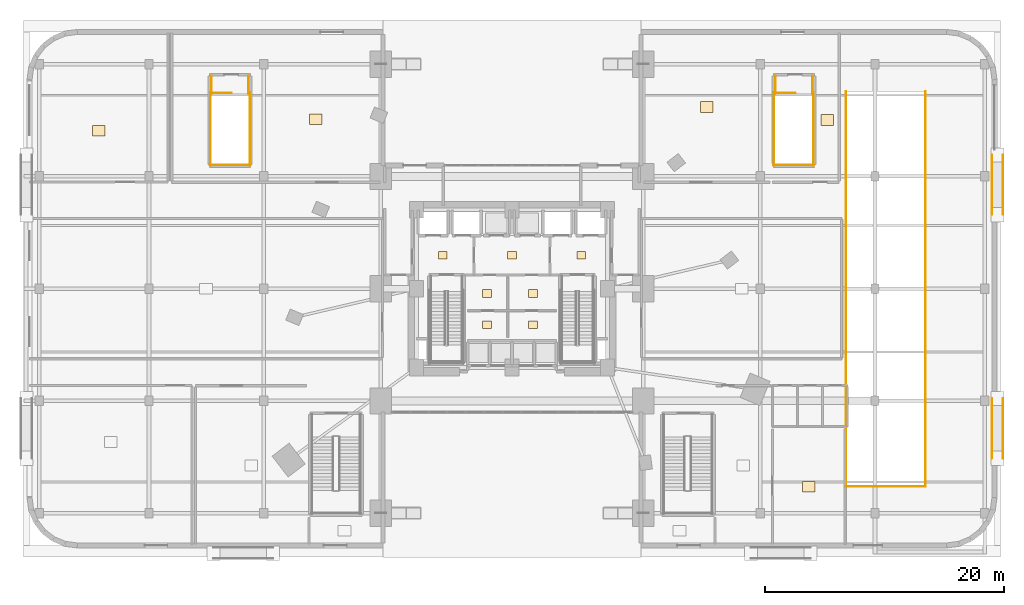
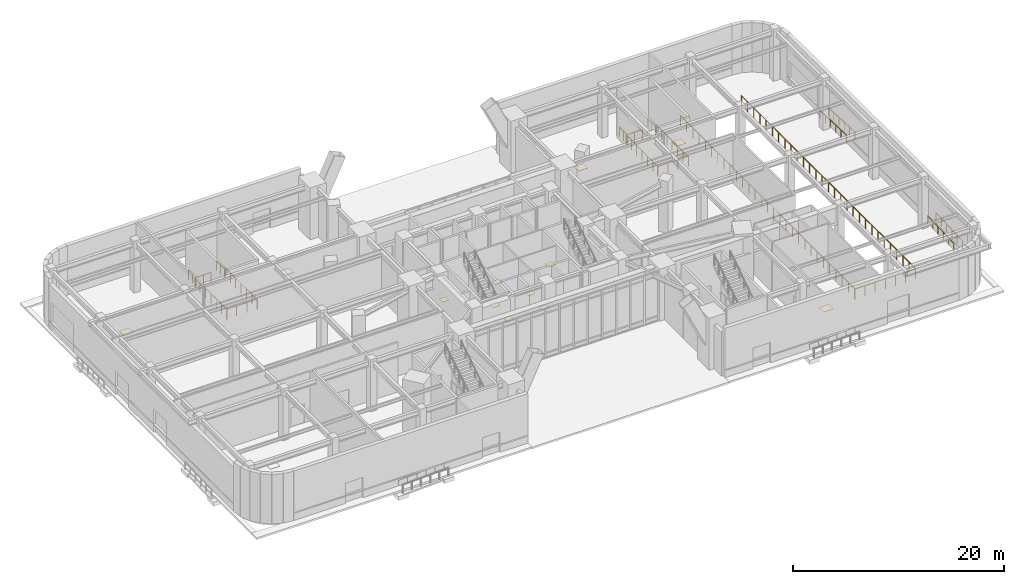
# One storey, part 26 of 27: 19 railings, 12 coverings.
"""IFC4 building model written with IfcOpenShell, lengths in metres."""

from ifc_helpers import new_model, si_unit, direction, frame, origin, origin_2d, place, context, subcontext, project, spatial, rectangle, circle, extrude, material, layer, layer_set, type_object, element, save


model = new_model("IFC4")

# Units and contexts
model_context = context("Model", 3, precision=1e-05, world=origin(), true_north=direction((0.0, 1.0)))
body_context = subcontext(model_context, "Body", "Model", "MODEL_VIEW")
ifc_project = project(units=[si_unit("LENGTHUNIT", "METRE"), si_unit("AREAUNIT", "SQUARE_METRE"), si_unit("VOLUMEUNIT", "CUBIC_METRE"), si_unit("PLANEANGLEUNIT", "RADIAN"), si_unit("MASSUNIT", "GRAM", prefix="KILO")], contexts=[model_context])

# Site, building, storey
site_placement = place(None, origin())
site = spatial("IfcSite", under=ifc_project, at=site_placement, CompositionType="ELEMENT")
building_placement = place(site_placement, origin())
building = spatial("IfcBuilding", under=site, at=building_placement, Name="Ndelora Gate Hotel", CompositionType="ELEMENT")
storey_placement = place(building_placement, origin())
storey = spatial("IfcBuildingStorey", under=building, at=storey_placement, Name="L00", CompositionType="ELEMENT", Elevation=0.0)

# Coverings
ifc_material_1 = material(Name="Engineered Highland Oak Parquet", Category="wood")
ifc_layer_1 = layer(ifc_material_1, 0.030029296875)
ifc_layer_set_1 = layer_set([ifc_layer_1], Name="Engineered Highland Oak Parquet")
covering_type_1 = type_object("IfcCoveringType", Name="COV-FLR-PARQ", PredefinedType="FLOORING", material=ifc_layer_set_1)
for number, where, z_axis, x_axis, name in (
    (1, (-16.425048828125, 14.195068359375, 0.0), (0.0, 0.0, 1.0), (1.0, 0.0, 0.0), "L00 West Protected Exit Passage Oak Parquet Flooring"),
    (2, (24.85009765625, -16.574951171875, 0.0), (0.0, 0.0, 1.0), (1.0, 0.0, 0.0), "L00 East Conservatory Dining Room Oak Parquet Flooring"),
    (3, (16.324951171875, 15.2099609375, 0.0), (0.0, 0.0, 1.0), (1.0, 0.0, 0.0), "L00 Brasserie Production Kitchen Oak Parquet Flooring"),
    (4, (26.39990234375, 14.125, 0.0), (0.0, 0.0, 1.0), (1.0, 0.0, 0.0), "L00 East Protected Exit Passage Oak Parquet Flooring"),
    (5, (-34.60009765625, 13.228759765625, 0.0), (0.0, 0.0, 1.0), (1.0, 0.0, 0.0), "L00 Luggage and Receiving Store Oak Parquet Flooring"),
):
    element("IfcCovering", number, at=place(storey_placement, frame(where, z_axis=z_axis, x_axis=x_axis)), inside=storey, type_object=covering_type_1, Name=name, PredefinedType="FLOORING", context=body_context, shape_type="SweptSolid", body=[
        extrude(rectangle(XDim=1.050048828125, YDim=0.89990234375, at=origin_2d()), origin(), (0.0, 0.0, 1.0), 0.030029296875),
    ])
ifc_material_2 = material(Name="Non-Slip Porcelain Wet-Room Tile", Category="ceramic")
ifc_layer_2 = layer(ifc_material_2, 0.02490234375)
ifc_layer_set_2 = layer_set([ifc_layer_2], Name="Non-Slip Porcelain Wet-Room Tile")
covering_type_2 = type_object("IfcCoveringType", Name="COV-FLR-TILE", PredefinedType="FLOORING", material=ifc_layer_set_2)
for number, where, z_axis, x_axis, name in (
    (6, (-5.800048828125, 2.800048828125, 0.0), (0.0, 0.0, 1.0), (1.0, 0.0, 0.0), "L00 Firefighting Lift Lobby West Porcelain Tile Flooring"),
    (7, (5.800048828125, 2.800048828125, 0.0), (0.0, 0.0, 1.0), (1.0, 0.0, 0.0), "L00 Firefighting Lift Lobby East Porcelain Tile Flooring"),
    (8, (0.0, 2.800048828125, 0.0), (0.0, 0.0, 1.0), (1.0, 0.0, 0.0), "L00 Central Passenger Lift Lobby Porcelain Tile Flooring"),
    (9, (-2.10009765625, -0.39990234375, 0.0), (0.0, 0.0, 1.0), (1.0, 0.0, 0.0), "L00 Core Electrical Closet Porcelain Tile Flooring"),
    (10, (1.75, -0.39990234375, 0.0), (0.0, 0.0, 1.0), (1.0, 0.0, 0.0), "L00 Comms Patching Store Porcelain Tile Flooring"),
    (11, (-2.10009765625, -3.02490234375, 0.0), (0.0, 0.0, 1.0), (1.0, 0.0, 0.0), "L00 Valet Laundry Store Porcelain Tile Flooring"),
    (12, (1.75, -3.02490234375, 0.0), (0.0, 0.0, 1.0), (1.0, 0.0, 0.0), "L00 Housekeeping Reserve Store Porcelain Tile Flooring"),
):
    element("IfcCovering", number, at=place(storey_placement, frame(where, z_axis=z_axis, x_axis=x_axis)), inside=storey, type_object=covering_type_2, Name=name, PredefinedType="FLOORING", context=body_context, shape_type="SweptSolid", body=[
        extrude(rectangle(XDim=0.75, YDim=0.64990234375, at=origin_2d()), origin(), (0.0, 0.0, 1.0), 0.02490234375),
    ])

# Railings
ifc_material_3 = material(Name="Galvanized Crash-Rated Steel Guardrail", Category="steel")
ifc_layer_3 = layer(ifc_material_3, 0.080078125)
ifc_layer_set_3 = layer_set([ifc_layer_3], Name="Galvanized Crash-Rated Steel Guardrail")
railing_type_1 = type_object("IfcRailingType", Name="RL-RAMP-GD", PredefinedType="GUARDRAIL", material=ifc_layer_set_3)
railing_1_placement = place(storey_placement, frame((27.969970703125, -16.5, 0.0)))
element("IfcRailing", 13, at=railing_1_placement, inside=storey, type_object=railing_type_1, Name="L00 Ramp R1 Well Deck Guardrail TOP-W", PredefinedType="GUARDRAIL", context=body_context, shape_type="SweptSolid", body=[
    extrude(circle(Radius=0.02392578125, at=origin_2d()), frame((0.0, 0.0, 1.15576171875), z_axis=(0.0, 1.0, 0.0), x_axis=(-1.0, 0.0, 0.0)), (0.0, 0.0, 1.0), 33.0),
    extrude(circle(Radius=0.02099609375, at=origin_2d()), origin(), (0.0, 0.0, 1.0), 1.1318359375),
    extrude(circle(Radius=0.02099609375, at=origin_2d()), frame((0.0, 1.178466796875, 0.0)), (0.0, 0.0, 1.0), 1.1318359375),
    extrude(circle(Radius=0.02099609375, at=origin_2d()), frame((0.0, 2.357177734375, 0.0)), (0.0, 0.0, 1.0), 1.1318359375),
    extrude(circle(Radius=0.02099609375, at=origin_2d()), frame((0.0, 3.53564453125, 0.0)), (0.0, 0.0, 1.0), 1.1318359375),
    extrude(circle(Radius=0.02099609375, at=origin_2d()), frame((0.0, 4.71435546875, 0.0)), (0.0, 0.0, 1.0), 1.1318359375),
    extrude(circle(Radius=0.02099609375, at=origin_2d()), frame((0.0, 5.892822265625, 0.0)), (0.0, 0.0, 1.0), 1.1318359375),
    extrude(circle(Radius=0.02099609375, at=origin_2d()), frame((0.0, 7.071533203125, 0.0)), (0.0, 0.0, 1.0), 1.1318359375),
    extrude(circle(Radius=0.02099609375, at=origin_2d()), frame((0.0, 8.25, 0.0)), (0.0, 0.0, 1.0), 1.1318359375),
    extrude(circle(Radius=0.02099609375, at=origin_2d()), frame((0.0, 9.428466796875, 0.0)), (0.0, 0.0, 1.0), 1.1318359375),
    extrude(circle(Radius=0.02099609375, at=origin_2d()), frame((0.0, 10.607177734375, 0.0)), (0.0, 0.0, 1.0), 1.1318359375),
    extrude(circle(Radius=0.02099609375, at=origin_2d()), frame((0.0, 11.78564453125, 0.0)), (0.0, 0.0, 1.0), 1.1318359375),
    extrude(circle(Radius=0.02099609375, at=origin_2d()), frame((0.0, 12.96435546875, 0.0)), (0.0, 0.0, 1.0), 1.1318359375),
    extrude(circle(Radius=0.02099609375, at=origin_2d()), frame((0.0, 14.142822265625, 0.0)), (0.0, 0.0, 1.0), 1.1318359375),
    extrude(circle(Radius=0.02099609375, at=origin_2d()), frame((0.0, 15.321533203125, 0.0)), (0.0, 0.0, 1.0), 1.1318359375),
    extrude(circle(Radius=0.02099609375, at=origin_2d()), frame((0.0, 16.5, 0.0)), (0.0, 0.0, 1.0), 1.1318359375),
    extrude(circle(Radius=0.02099609375, at=origin_2d()), frame((0.0, 17.678466796875, 0.0)), (0.0, 0.0, 1.0), 1.1318359375),
    extrude(circle(Radius=0.02099609375, at=origin_2d()), frame((0.0, 18.857177734375, 0.0)), (0.0, 0.0, 1.0), 1.1318359375),
    extrude(circle(Radius=0.02099609375, at=origin_2d()), frame((0.0, 20.03564453125, 0.0)), (0.0, 0.0, 1.0), 1.1318359375),
    extrude(circle(Radius=0.02099609375, at=origin_2d()), frame((0.0, 21.21435546875, 0.0)), (0.0, 0.0, 1.0), 1.1318359375),
    extrude(circle(Radius=0.02099609375, at=origin_2d()), frame((0.0, 22.392822265625, 0.0)), (0.0, 0.0, 1.0), 1.1318359375),
    extrude(circle(Radius=0.02099609375, at=origin_2d()), frame((0.0, 23.571533203125, 0.0)), (0.0, 0.0, 1.0), 1.1318359375),
    extrude(circle(Radius=0.02099609375, at=origin_2d()), frame((0.0, 24.75, 0.0)), (0.0, 0.0, 1.0), 1.1318359375),
    extrude(circle(Radius=0.02099609375, at=origin_2d()), frame((0.0, 25.928466796875, 0.0)), (0.0, 0.0, 1.0), 1.1318359375),
    extrude(circle(Radius=0.02099609375, at=origin_2d()), frame((0.0, 27.107177734375, 0.0)), (0.0, 0.0, 1.0), 1.1318359375),
    extrude(circle(Radius=0.02099609375, at=origin_2d()), frame((0.0, 28.28564453125, 0.0)), (0.0, 0.0, 1.0), 1.1318359375),
    extrude(circle(Radius=0.02099609375, at=origin_2d()), frame((0.0, 29.46435546875, 0.0)), (0.0, 0.0, 1.0), 1.1318359375),
    extrude(circle(Radius=0.02099609375, at=origin_2d()), frame((0.0, 30.642822265625, 0.0)), (0.0, 0.0, 1.0), 1.1318359375),
    extrude(circle(Radius=0.02099609375, at=origin_2d()), frame((0.0, 31.821533203125, 0.0)), (0.0, 0.0, 1.0), 1.1318359375),
    extrude(circle(Radius=0.02099609375, at=origin_2d()), frame((0.0, 33.0, 0.0)), (0.0, 0.0, 1.0), 1.1318359375),
])
railing_2_placement = place(storey_placement, frame((34.6298828125, -16.5, 0.0)))
element("IfcRailing", 14, at=railing_2_placement, inside=storey, type_object=railing_type_1, Name="L00 Ramp R1 Well Deck Guardrail TOP-E", PredefinedType="GUARDRAIL", context=body_context, shape_type="SweptSolid", body=[
    extrude(circle(Radius=0.02392578125, at=origin_2d()), frame((0.0, 0.0, 1.15576171875), z_axis=(0.0, 1.0, 0.0), x_axis=(-1.0, 0.0, 0.0)), (0.0, 0.0, 1.0), 33.0),
    extrude(circle(Radius=0.02099609375, at=origin_2d()), origin(), (0.0, 0.0, 1.0), 1.1318359375),
    extrude(circle(Radius=0.02099609375, at=origin_2d()), frame((0.0, 1.178466796875, 0.0)), (0.0, 0.0, 1.0), 1.1318359375),
    extrude(circle(Radius=0.02099609375, at=origin_2d()), frame((0.0, 2.357177734375, 0.0)), (0.0, 0.0, 1.0), 1.1318359375),
    extrude(circle(Radius=0.02099609375, at=origin_2d()), frame((0.0, 3.53564453125, 0.0)), (0.0, 0.0, 1.0), 1.1318359375),
    extrude(circle(Radius=0.02099609375, at=origin_2d()), frame((0.0, 4.71435546875, 0.0)), (0.0, 0.0, 1.0), 1.1318359375),
    extrude(circle(Radius=0.02099609375, at=origin_2d()), frame((0.0, 5.892822265625, 0.0)), (0.0, 0.0, 1.0), 1.1318359375),
    extrude(circle(Radius=0.02099609375, at=origin_2d()), frame((0.0, 7.071533203125, 0.0)), (0.0, 0.0, 1.0), 1.1318359375),
    extrude(circle(Radius=0.02099609375, at=origin_2d()), frame((0.0, 8.25, 0.0)), (0.0, 0.0, 1.0), 1.1318359375),
    extrude(circle(Radius=0.02099609375, at=origin_2d()), frame((0.0, 9.428466796875, 0.0)), (0.0, 0.0, 1.0), 1.1318359375),
    extrude(circle(Radius=0.02099609375, at=origin_2d()), frame((0.0, 10.607177734375, 0.0)), (0.0, 0.0, 1.0), 1.1318359375),
    extrude(circle(Radius=0.02099609375, at=origin_2d()), frame((0.0, 11.78564453125, 0.0)), (0.0, 0.0, 1.0), 1.1318359375),
    extrude(circle(Radius=0.02099609375, at=origin_2d()), frame((0.0, 12.96435546875, 0.0)), (0.0, 0.0, 1.0), 1.1318359375),
    extrude(circle(Radius=0.02099609375, at=origin_2d()), frame((0.0, 14.142822265625, 0.0)), (0.0, 0.0, 1.0), 1.1318359375),
    extrude(circle(Radius=0.02099609375, at=origin_2d()), frame((0.0, 15.321533203125, 0.0)), (0.0, 0.0, 1.0), 1.1318359375),
    extrude(circle(Radius=0.02099609375, at=origin_2d()), frame((0.0, 16.5, 0.0)), (0.0, 0.0, 1.0), 1.1318359375),
    extrude(circle(Radius=0.02099609375, at=origin_2d()), frame((0.0, 17.678466796875, 0.0)), (0.0, 0.0, 1.0), 1.1318359375),
    extrude(circle(Radius=0.02099609375, at=origin_2d()), frame((0.0, 18.857177734375, 0.0)), (0.0, 0.0, 1.0), 1.1318359375),
    extrude(circle(Radius=0.02099609375, at=origin_2d()), frame((0.0, 20.03564453125, 0.0)), (0.0, 0.0, 1.0), 1.1318359375),
    extrude(circle(Radius=0.02099609375, at=origin_2d()), frame((0.0, 21.21435546875, 0.0)), (0.0, 0.0, 1.0), 1.1318359375),
    extrude(circle(Radius=0.02099609375, at=origin_2d()), frame((0.0, 22.392822265625, 0.0)), (0.0, 0.0, 1.0), 1.1318359375),
    extrude(circle(Radius=0.02099609375, at=origin_2d()), frame((0.0, 23.571533203125, 0.0)), (0.0, 0.0, 1.0), 1.1318359375),
    extrude(circle(Radius=0.02099609375, at=origin_2d()), frame((0.0, 24.75, 0.0)), (0.0, 0.0, 1.0), 1.1318359375),
    extrude(circle(Radius=0.02099609375, at=origin_2d()), frame((0.0, 25.928466796875, 0.0)), (0.0, 0.0, 1.0), 1.1318359375),
    extrude(circle(Radius=0.02099609375, at=origin_2d()), frame((0.0, 27.107177734375, 0.0)), (0.0, 0.0, 1.0), 1.1318359375),
    extrude(circle(Radius=0.02099609375, at=origin_2d()), frame((0.0, 28.28564453125, 0.0)), (0.0, 0.0, 1.0), 1.1318359375),
    extrude(circle(Radius=0.02099609375, at=origin_2d()), frame((0.0, 29.46435546875, 0.0)), (0.0, 0.0, 1.0), 1.1318359375),
    extrude(circle(Radius=0.02099609375, at=origin_2d()), frame((0.0, 30.642822265625, 0.0)), (0.0, 0.0, 1.0), 1.1318359375),
    extrude(circle(Radius=0.02099609375, at=origin_2d()), frame((0.0, 31.821533203125, 0.0)), (0.0, 0.0, 1.0), 1.1318359375),
    extrude(circle(Radius=0.02099609375, at=origin_2d()), frame((0.0, 33.0, 0.0)), (0.0, 0.0, 1.0), 1.1318359375),
])
railing_3_placement = place(storey_placement, frame((27.969970703125, -16.580078125, 0.0)))
element("IfcRailing", 15, at=railing_3_placement, inside=storey, type_object=railing_type_1, Name="L00 Ramp R1 Well End Deck Guardrail", PredefinedType="GUARDRAIL", context=body_context, shape_type="SweptSolid", body=[
    extrude(circle(Radius=0.02392578125, at=origin_2d()), frame((0.0, 0.0, 1.15576171875), z_axis=(1.0, 0.0, 0.0), x_axis=(0.0, 1.0, 0.0)), (0.0, 0.0, 1.0), 6.659912109375),
    extrude(circle(Radius=0.02099609375, at=origin_2d()), origin(), (0.0, 0.0, 1.0), 1.1318359375),
    extrude(circle(Radius=0.02099609375, at=origin_2d()), frame((1.10986328125, 0.0, 0.0)), (0.0, 0.0, 1.0), 1.1318359375),
    extrude(circle(Radius=0.02099609375, at=origin_2d()), frame((2.219970703125, 0.0, 0.0)), (0.0, 0.0, 1.0), 1.1318359375),
    extrude(circle(Radius=0.02099609375, at=origin_2d()), frame((3.330078125, 0.0, 0.0)), (0.0, 0.0, 1.0), 1.1318359375),
    extrude(circle(Radius=0.02099609375, at=origin_2d()), frame((4.43994140625, 0.0, 0.0)), (0.0, 0.0, 1.0), 1.1318359375),
    extrude(circle(Radius=0.02099609375, at=origin_2d()), frame((5.5498046875, 0.0, 0.0)), (0.0, 0.0, 1.0), 1.1318359375),
    extrude(circle(Radius=0.02099609375, at=origin_2d()), frame((6.659912109375, 0.0, 0.0)), (0.0, 0.0, 1.0), 1.1318359375),
])
ifc_material_4 = material(Name="Painted Galvanized Steel Balustrade", Category="steel")
ifc_layer_4 = layer(ifc_material_4, 0.06005859375)
ifc_layer_set_4 = layer_set([ifc_layer_4], Name="Painted Galvanized Steel Balustrade")
railing_type_2 = type_object("IfcRailingType", Name="RL-STAIR-GD", PredefinedType="GUARDRAIL", material=ifc_layer_set_4)
railing_4_placement = place(storey_placement, frame((-25.199951171875, 16.3701171875, 0.0)))
element("IfcRailing", 16, at=railing_4_placement, inside=storey, type_object=railing_type_2, Name="L00 ST1 top well guard 1", PredefinedType="GUARDRAIL", context=body_context, shape_type="SweptSolid", body=[
    extrude(circle(Radius=0.02392578125, at=origin_2d()), frame((0.0, 0.0, 1.10595703125), z_axis=(1.0, 0.0, 0.0), x_axis=(0.0, 1.0, 0.0)), (0.0, 0.0, 1.0), 1.719970703125),
    extrude(circle(Radius=0.02099609375, at=origin_2d()), origin(), (0.0, 0.0, 1.0), 1.081787109375),
    extrude(circle(Radius=0.02099609375, at=origin_2d()), frame((0.85986328125, 0.0, 0.0)), (0.0, 0.0, 1.0), 1.081787109375),
    extrude(circle(Radius=0.02099609375, at=origin_2d()), frame((1.719970703125, 0.0, 0.0)), (0.0, 0.0, 1.0), 1.081787109375),
])
for number, where, name in (
    (17, (-25.25, 16.419921875, 0.0), "L00 ST1 top well guard 2"),
    (18, (-21.949951171875, 16.419921875, 0.0), "L00 ST1 top well guard 3"),
):
    element("IfcRailing", number, at=place(storey_placement, frame(where)), inside=storey, type_object=railing_type_2, Name=name, PredefinedType="GUARDRAIL", context=body_context, shape_type="SweptSolid", body=[
        extrude(circle(Radius=0.02392578125, at=origin_2d()), frame((0.0, 0.0, 1.10595703125), z_axis=(0.0, -1.0, 0.0), x_axis=(1.0, 0.0, 0.0)), (0.0, 0.0, 1.0), 6.119873046875),
        extrude(circle(Radius=0.02099609375, at=origin_2d()), origin(), (0.0, 0.0, 1.0), 1.081787109375),
        extrude(circle(Radius=0.02099609375, at=origin_2d()), frame((0.0, -1.02001953125, 0.0)), (0.0, 0.0, 1.0), 1.081787109375),
        extrude(circle(Radius=0.02099609375, at=origin_2d()), frame((0.0, -2.0400390625, 0.0)), (0.0, 0.0, 1.0), 1.081787109375),
        extrude(circle(Radius=0.02099609375, at=origin_2d()), frame((0.0, -3.06005859375, 0.0)), (0.0, 0.0, 1.0), 1.081787109375),
        extrude(circle(Radius=0.02099609375, at=origin_2d()), frame((0.0, -4.079833984375, 0.0)), (0.0, 0.0, 1.0), 1.081787109375),
        extrude(circle(Radius=0.02099609375, at=origin_2d()), frame((0.0, -5.099853515625, 0.0)), (0.0, 0.0, 1.0), 1.081787109375),
        extrude(circle(Radius=0.02099609375, at=origin_2d()), frame((0.0, -6.119873046875, 0.0)), (0.0, 0.0, 1.0), 1.081787109375),
    ])
railing_5_placement = place(storey_placement, frame((-25.300048828125, 10.35009765625, 0.0)))
element("IfcRailing", 19, at=railing_5_placement, inside=storey, type_object=railing_type_2, Name="L00 ST1 top well guard 4", PredefinedType="GUARDRAIL", context=body_context, shape_type="SweptSolid", body=[
    extrude(circle(Radius=0.02392578125, at=origin_2d()), frame((0.0, 0.0, 1.10595703125), z_axis=(1.0, 0.0, 0.0), x_axis=(0.0, 1.0, 0.0)), (0.0, 0.0, 1.0), 3.400146484375),
    extrude(circle(Radius=0.02099609375, at=origin_2d()), origin(), (0.0, 0.0, 1.0), 1.081787109375),
    extrude(circle(Radius=0.02099609375, at=origin_2d()), frame((1.13330078125, 0.0, 0.0)), (0.0, 0.0, 1.0), 1.081787109375),
    extrude(circle(Radius=0.02099609375, at=origin_2d()), frame((2.266845703125, 0.0, 0.0)), (0.0, 0.0, 1.0), 1.081787109375),
    extrude(circle(Radius=0.02099609375, at=origin_2d()), frame((3.400146484375, 0.0, 0.0)), (0.0, 0.0, 1.0), 1.081787109375),
])
for number, where, name in (
    (20, (-25.14990234375, 17.800048828125, 0.0), "L00 ST1 top well guard 5"),
    (21, (-22.050048828125, 17.800048828125, 0.0), "L00 ST1 top well guard 6"),
):
    element("IfcRailing", number, at=place(storey_placement, frame(where)), inside=storey, type_object=railing_type_2, Name=name, PredefinedType="GUARDRAIL", context=body_context, shape_type="SweptSolid", body=[
        extrude(circle(Radius=0.02392578125, at=origin_2d()), frame((0.0, 0.0, 1.10595703125), z_axis=(0.0, -1.0, 0.0), x_axis=(1.0, 0.0, 0.0)), (0.0, 0.0, 1.0), 1.47998046875),
        extrude(circle(Radius=0.02099609375, at=origin_2d()), origin(), (0.0, 0.0, 1.0), 1.081787109375),
        extrude(circle(Radius=0.02099609375, at=origin_2d()), frame((0.0, -0.739990234375, 0.0)), (0.0, 0.0, 1.0), 1.081787109375),
        extrude(circle(Radius=0.02099609375, at=origin_2d()), frame((0.0, -1.47998046875, 0.0)), (0.0, 0.0, 1.0), 1.081787109375),
    ])
railing_6_placement = place(storey_placement, frame((22.0, 16.3701171875, 0.0)))
element("IfcRailing", 22, at=railing_6_placement, inside=storey, type_object=railing_type_2, Name="L00 ST2 top well guard 1", PredefinedType="GUARDRAIL", context=body_context, shape_type="SweptSolid", body=[
    extrude(circle(Radius=0.02392578125, at=origin_2d()), frame((0.0, 0.0, 1.10595703125), z_axis=(1.0, 0.0, 0.0), x_axis=(0.0, 1.0, 0.0)), (0.0, 0.0, 1.0), 1.719970703125),
    extrude(circle(Radius=0.02099609375, at=origin_2d()), origin(), (0.0, 0.0, 1.0), 1.081787109375),
    extrude(circle(Radius=0.02099609375, at=origin_2d()), frame((0.85986328125, 0.0, 0.0)), (0.0, 0.0, 1.0), 1.081787109375),
    extrude(circle(Radius=0.02099609375, at=origin_2d()), frame((1.719970703125, 0.0, 0.0)), (0.0, 0.0, 1.0), 1.081787109375),
])
for number, where, name in (
    (23, (21.949951171875, 16.419921875, 0.0), "L00 ST2 top well guard 2"),
    (24, (25.25, 16.419921875, 0.0), "L00 ST2 top well guard 3"),
):
    element("IfcRailing", number, at=place(storey_placement, frame(where)), inside=storey, type_object=railing_type_2, Name=name, PredefinedType="GUARDRAIL", context=body_context, shape_type="SweptSolid", body=[
        extrude(circle(Radius=0.02392578125, at=origin_2d()), frame((0.0, 0.0, 1.10595703125), z_axis=(0.0, -1.0, 0.0), x_axis=(1.0, 0.0, 0.0)), (0.0, 0.0, 1.0), 6.119873046875),
        extrude(circle(Radius=0.02099609375, at=origin_2d()), origin(), (0.0, 0.0, 1.0), 1.081787109375),
        extrude(circle(Radius=0.02099609375, at=origin_2d()), frame((0.0, -1.02001953125, 0.0)), (0.0, 0.0, 1.0), 1.081787109375),
        extrude(circle(Radius=0.02099609375, at=origin_2d()), frame((0.0, -2.0400390625, 0.0)), (0.0, 0.0, 1.0), 1.081787109375),
        extrude(circle(Radius=0.02099609375, at=origin_2d()), frame((0.0, -3.06005859375, 0.0)), (0.0, 0.0, 1.0), 1.081787109375),
        extrude(circle(Radius=0.02099609375, at=origin_2d()), frame((0.0, -4.079833984375, 0.0)), (0.0, 0.0, 1.0), 1.081787109375),
        extrude(circle(Radius=0.02099609375, at=origin_2d()), frame((0.0, -5.099853515625, 0.0)), (0.0, 0.0, 1.0), 1.081787109375),
        extrude(circle(Radius=0.02099609375, at=origin_2d()), frame((0.0, -6.119873046875, 0.0)), (0.0, 0.0, 1.0), 1.081787109375),
    ])
railing_7_placement = place(storey_placement, frame((21.89990234375, 10.35009765625, 0.0)))
element("IfcRailing", 25, at=railing_7_placement, inside=storey, type_object=railing_type_2, Name="L00 ST2 top well guard 4", PredefinedType="GUARDRAIL", context=body_context, shape_type="SweptSolid", body=[
    extrude(circle(Radius=0.02392578125, at=origin_2d()), frame((0.0, 0.0, 1.10595703125), z_axis=(1.0, 0.0, 0.0), x_axis=(0.0, 1.0, 0.0)), (0.0, 0.0, 1.0), 3.400146484375),
    extrude(circle(Radius=0.02099609375, at=origin_2d()), origin(), (0.0, 0.0, 1.0), 1.081787109375),
    extrude(circle(Radius=0.02099609375, at=origin_2d()), frame((1.13330078125, 0.0, 0.0)), (0.0, 0.0, 1.0), 1.081787109375),
    extrude(circle(Radius=0.02099609375, at=origin_2d()), frame((2.266845703125, 0.0, 0.0)), (0.0, 0.0, 1.0), 1.081787109375),
    extrude(circle(Radius=0.02099609375, at=origin_2d()), frame((3.400146484375, 0.0, 0.0)), (0.0, 0.0, 1.0), 1.081787109375),
])
for number, where, name in (
    (26, (22.050048828125, 17.800048828125, 0.0), "L00 ST2 top well guard 5"),
    (27, (25.14990234375, 17.800048828125, 0.0), "L00 ST2 top well guard 6"),
):
    element("IfcRailing", number, at=place(storey_placement, frame(where)), inside=storey, type_object=railing_type_2, Name=name, PredefinedType="GUARDRAIL", context=body_context, shape_type="SweptSolid", body=[
        extrude(circle(Radius=0.02392578125, at=origin_2d()), frame((0.0, 0.0, 1.10595703125), z_axis=(0.0, -1.0, 0.0), x_axis=(1.0, 0.0, 0.0)), (0.0, 0.0, 1.0), 1.47998046875),
        extrude(circle(Radius=0.02099609375, at=origin_2d()), origin(), (0.0, 0.0, 1.0), 1.081787109375),
        extrude(circle(Radius=0.02099609375, at=origin_2d()), frame((0.0, -0.739990234375, 0.0)), (0.0, 0.0, 1.0), 1.081787109375),
        extrude(circle(Radius=0.02099609375, at=origin_2d()), frame((0.0, -1.47998046875, 0.0)), (0.0, 0.0, 1.0), 1.081787109375),
    ])
ifc_material_5 = material(Name="Brushed Stainless Steel 316", Category="steel")
ifc_layer_5 = layer(ifc_material_5, 0.050048828125)
ifc_layer_set_5 = layer_set([ifc_layer_5], Name="Brushed Stainless Steel 316")
railing_type_3 = type_object("IfcRailingType", Name="RL-STAIR-HR", PredefinedType="HANDRAIL", material=ifc_layer_set_5)
for number, where, name in (
    (28, (41.110107421875, -14.199951171875, -0.2099609375), "L00 Accessible Ramp R5 Handrail L"),
    (29, (40.18994140625, -14.199951171875, -0.2099609375), "L00 Accessible Ramp R5 Handrail R"),
):
    element("IfcRailing", number, at=place(storey_placement, frame(where)), inside=storey, type_object=railing_type_3, Name=name, PredefinedType="HANDRAIL", context=body_context, shape_type="SweptSolid", body=[
        extrude(circle(Radius=0.02392578125, at=origin_2d()), frame((0.0, 0.0, 0.89599609375), z_axis=(0.0, 0.999119492402, 0.04195521306), x_axis=(-1.0, 0.0, 0.0)), (0.0, 0.0, 1.0), 5.00439453125),
        extrude(circle(Radius=0.02099609375, at=origin_2d()), origin(), (0.0, 0.0, 1.0), 0.871826171875),
        extrude(circle(Radius=0.02099609375, at=origin_2d()), frame((0.0, 1.0, 0.0419921875)), (0.0, 0.0, 1.0), 0.871826171875),
        extrude(circle(Radius=0.02099609375, at=origin_2d()), frame((0.0, 2.0, 0.083984375)), (0.0, 0.0, 1.0), 0.871826171875),
        extrude(circle(Radius=0.02099609375, at=origin_2d()), frame((0.0, 3.0, 0.1259765625)), (0.0, 0.0, 1.0), 0.871826171875),
        extrude(circle(Radius=0.02099609375, at=origin_2d()), frame((0.0, 4.0, 0.16796875)), (0.0, 0.0, 1.0), 0.871826171875),
        extrude(circle(Radius=0.02099609375, at=origin_2d()), frame((0.0, 5.0, 0.2099609375)), (0.0, 0.0, 1.0), 0.871826171875),
    ])
for number, where, name in (
    (30, (40.18994140625, 11.199951171875, -0.2099609375), "L00 Accessible Ramp R7 Handrail L"),
    (31, (41.110107421875, 11.199951171875, -0.2099609375), "L00 Accessible Ramp R7 Handrail R"),
):
    element("IfcRailing", number, at=place(storey_placement, frame(where)), inside=storey, type_object=railing_type_3, Name=name, PredefinedType="HANDRAIL", context=body_context, shape_type="SweptSolid", body=[
        extrude(circle(Radius=0.02392578125, at=origin_2d()), frame((0.0, 0.0, 0.89599609375), z_axis=(0.0, -0.999119492402, 0.04195521306), x_axis=(1.0, 0.0, 0.0)), (0.0, 0.0, 1.0), 5.00439453125),
        extrude(circle(Radius=0.02099609375, at=origin_2d()), origin(), (0.0, 0.0, 1.0), 0.871826171875),
        extrude(circle(Radius=0.02099609375, at=origin_2d()), frame((0.0, -1.0, 0.0419921875)), (0.0, 0.0, 1.0), 0.871826171875),
        extrude(circle(Radius=0.02099609375, at=origin_2d()), frame((0.0, -2.0, 0.083984375)), (0.0, 0.0, 1.0), 0.871826171875),
        extrude(circle(Radius=0.02099609375, at=origin_2d()), frame((0.0, -3.0, 0.1259765625)), (0.0, 0.0, 1.0), 0.871826171875),
        extrude(circle(Radius=0.02099609375, at=origin_2d()), frame((0.0, -4.0, 0.16796875)), (0.0, 0.0, 1.0), 0.871826171875),
        extrude(circle(Radius=0.02099609375, at=origin_2d()), frame((0.0, -5.0, 0.2099609375)), (0.0, 0.0, 1.0), 0.871826171875),
    ])

save(model, "model.ifc")
